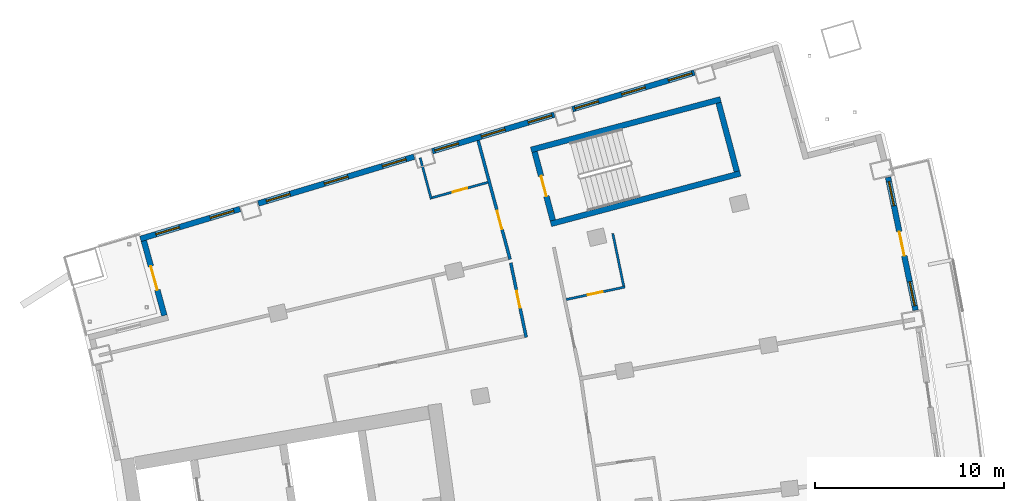
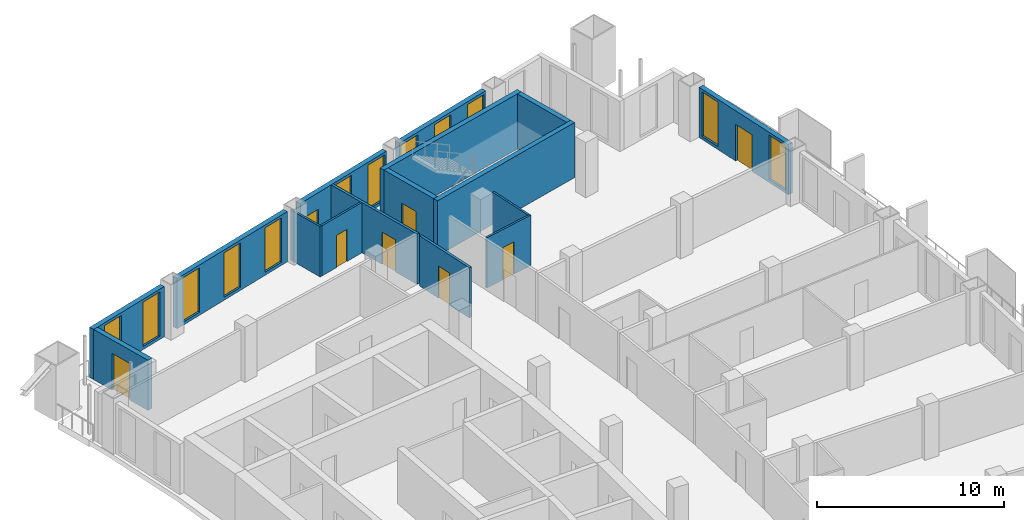
# One storey, part 15 of 19: 16 walls, 13 windows, 7 doors, 20 openings.
"""IFC4 building model written with IfcOpenShell, lengths in metres."""

from ifc_helpers import new_model, si_unit, direction, frame, frame_2d, origin, place, context, subcontext, project, spatial, rectangle, extrude, material, layer, layer_set, type_object, element, fill, save


model = new_model("IFC4")

# Units and contexts
model_context = context("Model", 3, precision=1e-05, world=origin(), true_north=direction((0.0, 1.0)))
body_context = subcontext(model_context, "Body", "Model", "MODEL_VIEW")
ifc_project = project(units=[si_unit("LENGTHUNIT", "METRE"), si_unit("AREAUNIT", "SQUARE_METRE"), si_unit("VOLUMEUNIT", "CUBIC_METRE"), si_unit("PLANEANGLEUNIT", "RADIAN"), si_unit("MASSUNIT", "GRAM", prefix="KILO")], contexts=[model_context])

# Site, building, storey
site_placement = place(None, origin())
site = spatial("IfcSite", under=ifc_project, at=site_placement, CompositionType="ELEMENT")
building_placement = place(site_placement, origin())
building = spatial("IfcBuilding", under=site, at=building_placement, Name="Alderwake Tower", CompositionType="ELEMENT")
storey_placement = place(building_placement, frame((0.0, 0.0, 174.800048828125)))
storey = spatial("IfcBuildingStorey", under=building, at=storey_placement, Name="L43", CompositionType="ELEMENT", Elevation=174.800048828125)

# Walls
ifc_material_1 = material(Name="Concrete C70/85", Category="concrete")
ifc_layer_1 = layer(ifc_material_1, 0.300048828125)
ifc_layer_set_1 = layer_set([ifc_layer_1], Name="Core wall stair enclosure 300 C70-85")
wall_type_1 = type_object("IfcWallType", Name="Core wall stair enclosure 300 C70-85", PredefinedType="SHEAR", material=ifc_layer_set_1)
for number, where, z_axis, x_axis, name in (
    (1, (36.71142578125, 94.182373046875, 0.0), (0.0, 0.0, 1.0), (0.966309214305, 0.257383958996, 0.0), "Core wall CW.082"),
    (2, (37.75390625, 90.268798828125, 0.0), (0.0, 0.0, 1.0), (0.966309214305, 0.257383958996, 0.0), "Core wall CW.084"),
):
    element("IfcWall", number, at=place(storey_placement, frame(where, z_axis=z_axis, x_axis=x_axis)), inside=storey, type_object=wall_type_1, Name=name, PredefinedType="SHEAR", context=body_context, shape_type="SweptSolid", body=[
        extrude(rectangle(XDim=10.360107421875, YDim=0.300048828125, at=frame_2d((5.18017578125, 0.0))), origin(), (0.0, 0.0, 1.0), 3.599853515625),
    ])

# Wall, opening, door
wall_1_placement = place(storey_placement, frame((37.8603515625, 90.452392578125, 0.0), z_axis=(0.0, 0.0, 1.0), x_axis=(-0.257411420208, 0.966301899381, 0.0)))
wall_1 = element("IfcWall", 3, at=wall_1_placement, inside=storey, type_object=wall_type_1, Name="Core wall CW.083", PredefinedType="SHEAR", context=body_context, shape_type="SweptSolid", body=[
    extrude(rectangle(XDim=3.750244140625, YDim=0.300048828125, at=frame_2d((1.875, 0.0))), origin(), (0.0, 0.0, 1.0), 3.599853515625),
])
opening_1_placement = place(wall_1_placement, frame((1.324951171875, 0.0, 0.0)))
opening_1 = element("IfcOpeningElement", 4, at=opening_1_placement, cuts=wall_1, Name="Opening C062", PredefinedType="OPENING", context=body_context, shape_type="SweptSolid", body=[
    extrude(rectangle(XDim=1.10009765625, YDim=2.10009765625, at=frame_2d((0.550048828125, 1.050048828125))), frame((0.0, 0.159912109375, 0.0), z_axis=(0.0, -1.0, 0.0), x_axis=(1.0, 0.0, 0.0)), (0.0, 0.0, 1.0), 0.320068359375),
])
ifc_material_2 = material(Name="Steel-framed fire door leaf", Category="steel")
door_type_1 = type_object("IfcDoorType", Name="Core stair door 1100 fire-rated", OperationType="SINGLE_SWING_LEFT", PredefinedType="DOOR", material=ifc_material_2)
door_1_placement = place(opening_1_placement, origin())
door_1 = element("IfcDoor", 5, at=door_1_placement, inside=storey, type_object=door_type_1, Name="Stair door", OperationType="SINGLE_SWING_RIGHT", OverallHeight=2.10009765625, OverallWidth=1.10009765625, PredefinedType="DOOR", context=body_context, shape_type="SweptSolid", body=[
    extrude(rectangle(XDim=1.10009765625, YDim=2.10009765625, at=frame_2d((0.550048828125, 1.050048828125))), frame((0.0, 0.02490234375, 0.0), z_axis=(0.0, -1.0, 0.0), x_axis=(1.0, 0.0, 0.0)), (0.0, 0.0, 1.0), 0.050048828125),
])
fill(opening_1, door_1)

# Wall
wall_2_placement = place(storey_placement, frame((47.581298828125, 93.041748046875, 0.0), z_axis=(0.0, 0.0, 1.0), x_axis=(-0.257366821694, 0.966313778796, 0.0)))
element("IfcWall", 6, at=wall_2_placement, inside=storey, type_object=wall_type_1, Name="Core wall CW.081", PredefinedType="SHEAR", context=body_context, shape_type="SweptSolid", body=[
    extrude(rectangle(XDim=3.749755859375, YDim=0.300048828125, at=frame_2d((1.875, 0.0))), origin(), (0.0, 0.0, 1.0), 3.599853515625),
])

# Wall, opening, door
ifc_material_3 = material(Name="Gypsum board on metal studs, rated")
ifc_layer_2 = layer(ifc_material_3, 0.159912109375)
ifc_layer_set_2 = layer_set([ifc_layer_2], Name="Corridor wall 160")
wall_type_2 = type_object("IfcWallType", Name="Corridor wall 160", PredefinedType="PARTITIONING", material=ifc_layer_set_2)
wall_3_placement = place(storey_placement, frame((35.600830078125, 88.392578125, 0.0), z_axis=(0.0, 0.0, 1.0), x_axis=(-0.259509260101, 0.965740619381, 0.0)))
wall_3 = element("IfcWall", 7, at=wall_3_placement, inside=storey, type_object=wall_type_2, Name="WL/L43/W19", PredefinedType="PARTITIONING", context=body_context, shape_type="SweptSolid", body=[
    extrude(rectangle(XDim=6.50732421875, YDim=0.159912109375, at=frame_2d((3.253662109375, 0.0))), origin(), (0.0, 0.0, 1.0), 3.280029296875),
])
opening_2_placement = place(wall_3_placement, frame((1.65771484375, 0.0, 0.0)))
opening_2 = element("IfcOpeningElement", 8, at=opening_2_placement, cuts=wall_3, Name="Opening R12-U11.1", PredefinedType="OPENING", context=body_context, shape_type="SweptSolid", body=[
    extrude(rectangle(XDim=1.0, YDim=2.10009765625, at=frame_2d((0.5, 1.050048828125))), frame((0.0, 0.08984375, 0.0), z_axis=(0.0, -1.0, 0.0), x_axis=(1.0, 0.0, 0.0)), (0.0, 0.0, 1.0), 0.179931640625),
])
ifc_material_4 = material(Name="Solid timber leaf in steel frame", Category="steel")
door_type_2 = type_object("IfcDoorType", Name="Flat entrance door 1000 fire-rated", OperationType="SINGLE_SWING_LEFT", PredefinedType="DOOR", material=ifc_material_4)
door_2_placement = place(opening_2_placement, origin())
door_2 = element("IfcDoor", 9, at=door_2_placement, inside=storey, type_object=door_type_2, Name="DR/L43/U11.1", OperationType="SINGLE_SWING_LEFT", OverallHeight=2.10009765625, OverallWidth=1.0, PredefinedType="DOOR", context=body_context, shape_type="SweptSolid", body=[
    extrude(rectangle(XDim=1.0, YDim=2.10009765625, at=frame_2d((0.5, 1.050048828125))), frame((0.0, 0.02490234375, 0.0), z_axis=(0.0, -1.0, 0.0), x_axis=(1.0, 0.0, 0.0)), (0.0, 0.0, 1.0), 0.050048828125),
])
fill(opening_2, door_2)

wall_4_placement = place(storey_placement, frame((36.451416015625, 84.272705078125, 0.0), z_axis=(0.0, 0.0, 1.0), x_axis=(-0.203258199701, 0.979125172924, 0.0)))
wall_4 = element("IfcWall", 10, at=wall_4_placement, inside=storey, type_object=wall_type_2, Name="WL/L43/W22", PredefinedType="PARTITIONING", context=body_context, shape_type="SweptSolid", body=[
    extrude(rectangle(XDim=4.020263671875, YDim=0.159912109375, at=frame_2d((2.01025390625, 0.0))), origin(), (0.0, 0.0, 1.0), 3.280029296875),
])
opening_3_placement = place(wall_4_placement, frame((1.599609375, 0.0, 0.0)))
opening_3 = element("IfcOpeningElement", 11, at=opening_3_placement, cuts=wall_4, Name="Opening R12-SBN2", PredefinedType="OPENING", context=body_context, shape_type="SweptSolid", body=[
    extrude(rectangle(XDim=0.89990234375, YDim=2.10009765625, at=frame_2d((0.449951171875, 1.050048828125))), frame((0.0, 0.08984375, 0.0), z_axis=(0.0, -1.0, 0.0), x_axis=(1.0, 0.0, 0.0)), (0.0, 0.0, 1.0), 0.179931640625),
])
ifc_material_5 = material(Name="Painted timber leaf", Category="wood")
door_type_3 = type_object("IfcDoorType", Name="Room door 900", OperationType="SINGLE_SWING_LEFT", PredefinedType="DOOR", material=ifc_material_5)
door_3_placement = place(opening_3_placement, origin())
door_3 = element("IfcDoor", 12, at=door_3_placement, inside=storey, type_object=door_type_3, Name="DR/L43/SBN2", OperationType="SINGLE_SWING_LEFT", OverallHeight=2.10009765625, OverallWidth=0.89990234375, PredefinedType="DOOR", context=body_context, shape_type="SweptSolid", body=[
    extrude(rectangle(XDim=0.89990234375, YDim=2.10009765625, at=frame_2d((0.449951171875, 1.050048828125))), frame((0.0, 0.02490234375, 0.0), z_axis=(0.0, -1.0, 0.0), x_axis=(1.0, 0.0, 0.0)), (0.0, 0.0, 1.0), 0.050048828125),
])
fill(opening_3, door_3)

# Wall, openings, door, windows
ifc_material_6 = material(Name="Precast concrete C50/60 spandrel panel", Category="concrete")
ifc_layer_3 = layer(ifc_material_6, 0.300048828125)
ifc_layer_set_3 = layer_set([ifc_layer_3], Name="External wall EW1 Precast concrete C50/60 spandrel")
wall_type_3 = type_object("IfcWallType", Name="External wall EW1 Precast concrete C50/60 spandrel", PredefinedType="SOLIDWALL", material=ifc_layer_set_3)
wall_5_placement = place(storey_placement, frame((57.027099609375, 85.707763671875, 0.0), z_axis=(0.0, 0.0, 1.0), x_axis=(-0.202713609839, 0.979238067268, 0.0)))
wall_5 = element("IfcWall", 13, at=wall_5_placement, inside=storey, type_object=wall_type_3, Name="External wall 19", PredefinedType="SOLIDWALL", context=body_context, shape_type="SweptSolid", body=[
    extrude(rectangle(XDim=7.175537109375, YDim=0.300048828125, at=frame_2d((3.587890625, 0.0))), origin(), (0.0, 0.0, 1.0), 3.280029296875),
])
opening_4_placement = place(wall_5_placement, frame((0.2353515625, 0.0, 0.199951171875)))
opening_4 = element("IfcOpeningElement", 14, at=opening_4_placement, cuts=wall_5, Name="Opening W1", PredefinedType="OPENING", context=body_context, shape_type="SweptSolid", body=[
    extrude(rectangle(XDim=1.300048828125, YDim=2.89990234375, at=frame_2d((0.64990234375, 1.449951171875))), frame((0.0, 0.159912109375, 0.0), z_axis=(0.0, -1.0, 0.0), x_axis=(1.0, 0.0, 0.0)), (0.0, 0.0, 1.0), 0.320068359375),
])
opening_5_placement = place(wall_5_placement, frame((2.937744140625, 0.0, 0.0)))
opening_5 = element("IfcOpeningElement", 15, at=opening_5_placement, cuts=wall_5, Name="Opening D08", PredefinedType="OPENING", context=body_context, shape_type="SweptSolid", body=[
    extrude(rectangle(XDim=1.300048828125, YDim=2.39990234375, at=frame_2d((0.64990234375, 1.199951171875))), frame((0.0, 0.159912109375, 0.0), z_axis=(0.0, -1.0, 0.0), x_axis=(1.0, 0.0, 0.0)), (0.0, 0.0, 1.0), 0.320068359375),
])
opening_6_placement = place(wall_5_placement, frame((5.64013671875, 0.0, 0.199951171875)))
opening_6 = element("IfcOpeningElement", 16, at=opening_6_placement, cuts=wall_5, Name="Opening W1", PredefinedType="OPENING", context=body_context, shape_type="SweptSolid", body=[
    extrude(rectangle(XDim=1.300048828125, YDim=2.89990234375, at=frame_2d((0.64990234375, 1.449951171875))), frame((0.0, 0.159912109375, 0.0), z_axis=(0.0, -1.0, 0.0), x_axis=(1.0, 0.0, 0.0)), (0.0, 0.0, 1.0), 0.320068359375),
])
ifc_material_7 = material(Name="Bronze tinted glass in aluminium frame", Category="aluminium")
door_type_4 = type_object("IfcDoorType", Name="Balcony door BD sliding", OperationType="SLIDING_TO_LEFT", PredefinedType="DOOR", material=ifc_material_7)
door_4_placement = place(opening_5_placement, origin())
door_4 = element("IfcDoor", 17, at=door_4_placement, inside=storey, type_object=door_type_4, Name="Door D08", OperationType="SLIDING_TO_LEFT", OverallHeight=2.39990234375, OverallWidth=1.300048828125, PredefinedType="DOOR", context=body_context, shape_type="SweptSolid", body=[
    extrude(rectangle(XDim=1.300048828125, YDim=2.39990234375, at=frame_2d((0.64990234375, 1.199951171875))), frame((0.0, 0.02490234375, 0.0), z_axis=(0.0, -1.0, 0.0), x_axis=(1.0, 0.0, 0.0)), (0.0, 0.0, 1.0), 0.050048828125),
])
fill(opening_5, door_4)
ifc_material_8 = material(Name="Bronze tinted glass in aluminium frame", Category="aluminium")
window_type_1 = type_object("IfcWindowType", Name="Window W1 tall fixed and vent", PartitioningType="DOUBLE_PANEL_VERTICAL", PredefinedType="WINDOW", material=ifc_material_8)
window_1_placement = place(opening_4_placement, origin())
window_1 = element("IfcWindow", 18, at=window_1_placement, inside=storey, type_object=window_type_1, Name="Window W1 tall fixed and vent", OverallHeight=2.89990234375, OverallWidth=1.300048828125, PartitioningType="DOUBLE_PANEL_VERTICAL", PredefinedType="WINDOW", context=body_context, shape_type="SweptSolid", body=[
    extrude(rectangle(XDim=1.300048828125, YDim=2.89990234375, at=frame_2d((0.64990234375, 1.449951171875))), frame((0.0, 0.030029296875, 0.0), z_axis=(0.0, -1.0, 0.0), x_axis=(1.0, 0.0, 0.0)), (0.0, 0.0, 1.0), 0.06005859375),
])
fill(opening_4, window_1)
window_2_placement = place(opening_6_placement, origin())
window_2 = element("IfcWindow", 19, at=window_2_placement, inside=storey, type_object=window_type_1, Name="Window W1 tall fixed and vent", OverallHeight=2.89990234375, OverallWidth=1.300048828125, PartitioningType="DOUBLE_PANEL_VERTICAL", PredefinedType="WINDOW", context=body_context, shape_type="SweptSolid", body=[
    extrude(rectangle(XDim=1.300048828125, YDim=2.89990234375, at=frame_2d((0.64990234375, 1.449951171875))), frame((0.0, 0.030029296875, 0.0), z_axis=(0.0, -1.0, 0.0), x_axis=(1.0, 0.0, 0.0)), (0.0, 0.0, 1.0), 0.06005859375),
])
fill(opening_6, window_2)

# Wall, openings, windows
ifc_material_9 = material(Name="Bronze metal cladding on lightweight framing")
ifc_layer_4 = layer(ifc_material_9, 0.300048828125)
ifc_layer_set_4 = layer_set([ifc_layer_4], Name="External wall EW2 bronze metal cladding")
wall_type_4 = type_object("IfcWallType", Name="External wall EW2 bronze metal cladding", PredefinedType="SOLIDWALL", material=ifc_layer_set_4)
wall_6_placement = place(storey_placement, frame((45.341552734375, 98.265625, 0.0), z_axis=(0.0, 0.0, 1.0), x_axis=(-0.957769353605, -0.287537589359, 0.0)))
wall_6 = element("IfcWall", 20, at=wall_6_placement, inside=storey, type_object=wall_type_4, Name="External wall 24", PredefinedType="SOLIDWALL", context=body_context, shape_type="SweptSolid", body=[
    extrude(rectangle(XDim=6.729736328125, YDim=0.300048828125, at=frame_2d((3.36474609375, 0.0))), origin(), (0.0, 0.0, 1.0), 3.280029296875),
])
opening_7_placement = place(wall_6_placement, frame((0.13720703125, 0.0, 0.199951171875)))
opening_7 = element("IfcOpeningElement", 21, at=opening_7_placement, cuts=wall_6, Name="Opening W1", PredefinedType="OPENING", context=body_context, shape_type="SweptSolid", body=[
    extrude(rectangle(XDim=1.300048828125, YDim=2.89990234375, at=frame_2d((0.64990234375, 1.449951171875))), frame((0.0, 0.159912109375, 0.0), z_axis=(0.0, -1.0, 0.0), x_axis=(1.0, 0.0, 0.0)), (0.0, 0.0, 1.0), 0.320068359375),
])
opening_8_placement = place(wall_6_placement, frame((2.71484375, 0.0, 0.199951171875)))
opening_8 = element("IfcOpeningElement", 22, at=opening_8_placement, cuts=wall_6, Name="Opening W1", PredefinedType="OPENING", context=body_context, shape_type="SweptSolid", body=[
    extrude(rectangle(XDim=1.300048828125, YDim=2.89990234375, at=frame_2d((0.64990234375, 1.449951171875))), frame((0.0, 0.159912109375, 0.0), z_axis=(0.0, -1.0, 0.0), x_axis=(1.0, 0.0, 0.0)), (0.0, 0.0, 1.0), 0.320068359375),
])
opening_9_placement = place(wall_6_placement, frame((5.292724609375, 0.0, 0.199951171875)))
opening_9 = element("IfcOpeningElement", 23, at=opening_9_placement, cuts=wall_6, Name="Opening W1", PredefinedType="OPENING", context=body_context, shape_type="SweptSolid", body=[
    extrude(rectangle(XDim=1.300048828125, YDim=2.89990234375, at=frame_2d((0.64990234375, 1.449951171875))), frame((0.0, 0.159912109375, 0.0), z_axis=(0.0, -1.0, 0.0), x_axis=(1.0, 0.0, 0.0)), (0.0, 0.0, 1.0), 0.320068359375),
])
window_3_placement = place(opening_7_placement, origin())
window_3 = element("IfcWindow", 24, at=window_3_placement, inside=storey, type_object=window_type_1, Name="Window W1 tall fixed and vent", OverallHeight=2.89990234375, OverallWidth=1.300048828125, PartitioningType="DOUBLE_PANEL_VERTICAL", PredefinedType="WINDOW", context=body_context, shape_type="SweptSolid", body=[
    extrude(rectangle(XDim=1.300048828125, YDim=2.89990234375, at=frame_2d((0.64990234375, 1.449951171875))), frame((0.0, 0.030029296875, 0.0), z_axis=(0.0, -1.0, 0.0), x_axis=(1.0, 0.0, 0.0)), (0.0, 0.0, 1.0), 0.06005859375),
])
fill(opening_7, window_3)
window_4_placement = place(opening_8_placement, origin())
window_4 = element("IfcWindow", 25, at=window_4_placement, inside=storey, type_object=window_type_1, Name="Window W1 tall fixed and vent", OverallHeight=2.89990234375, OverallWidth=1.300048828125, PartitioningType="DOUBLE_PANEL_VERTICAL", PredefinedType="WINDOW", context=body_context, shape_type="SweptSolid", body=[
    extrude(rectangle(XDim=1.300048828125, YDim=2.89990234375, at=frame_2d((0.64990234375, 1.449951171875))), frame((0.0, 0.030029296875, 0.0), z_axis=(0.0, -1.0, 0.0), x_axis=(1.0, 0.0, 0.0)), (0.0, 0.0, 1.0), 0.06005859375),
])
fill(opening_8, window_4)
window_5_placement = place(opening_9_placement, origin())
window_5 = element("IfcWindow", 26, at=window_5_placement, inside=storey, type_object=window_type_1, Name="Window W1 tall fixed and vent", OverallHeight=2.89990234375, OverallWidth=1.300048828125, PartitioningType="DOUBLE_PANEL_VERTICAL", PredefinedType="WINDOW", context=body_context, shape_type="SweptSolid", body=[
    extrude(rectangle(XDim=1.300048828125, YDim=2.89990234375, at=frame_2d((0.64990234375, 1.449951171875))), frame((0.0, 0.030029296875, 0.0), z_axis=(0.0, -1.0, 0.0), x_axis=(1.0, 0.0, 0.0)), (0.0, 0.0, 1.0), 0.06005859375),
])
fill(opening_9, window_5)

wall_7_placement = place(storey_placement, frame((37.9345703125, 96.0419921875, 0.0), z_axis=(0.0, 0.0, 1.0), x_axis=(-0.957766354081, -0.287547580396, 0.0)))
wall_7 = element("IfcWall", 27, at=wall_7_placement, inside=storey, type_object=wall_type_4, Name="External wall 25", PredefinedType="SOLIDWALL", context=body_context, shape_type="SweptSolid", body=[
    extrude(rectangle(XDim=6.7294921875, YDim=0.300048828125, at=frame_2d((3.36474609375, 0.0))), origin(), (0.0, 0.0, 1.0), 3.280029296875),
])
opening_10_placement = place(wall_7_placement, frame((0.136962890625, 0.0, 0.199951171875)))
opening_10 = element("IfcOpeningElement", 28, at=opening_10_placement, cuts=wall_7, Name="Opening W1", PredefinedType="OPENING", context=body_context, shape_type="SweptSolid", body=[
    extrude(rectangle(XDim=1.300048828125, YDim=2.89990234375, at=frame_2d((0.64990234375, 1.449951171875))), frame((0.0, 0.159912109375, 0.0), z_axis=(0.0, -1.0, 0.0), x_axis=(1.0, 0.0, 0.0)), (0.0, 0.0, 1.0), 0.320068359375),
])
opening_11_placement = place(wall_7_placement, frame((2.71484375, 0.0, 0.199951171875)))
opening_11 = element("IfcOpeningElement", 29, at=opening_11_placement, cuts=wall_7, Name="Opening W1", PredefinedType="OPENING", context=body_context, shape_type="SweptSolid", body=[
    extrude(rectangle(XDim=1.300048828125, YDim=2.89990234375, at=frame_2d((0.64990234375, 1.449951171875))), frame((0.0, 0.159912109375, 0.0), z_axis=(0.0, -1.0, 0.0), x_axis=(1.0, 0.0, 0.0)), (0.0, 0.0, 1.0), 0.320068359375),
])
opening_12_placement = place(wall_7_placement, frame((5.29248046875, 0.0, 1.0)))
opening_12 = element("IfcOpeningElement", 30, at=opening_12_placement, cuts=wall_7, Name="Opening W2", PredefinedType="OPENING", context=body_context, shape_type="SweptSolid", body=[
    extrude(rectangle(XDim=1.300048828125, YDim=1.199951171875, at=frame_2d((0.64990234375, 0.60009765625))), frame((0.0, 0.159912109375, 0.0), z_axis=(0.0, -1.0, 0.0), x_axis=(1.0, 0.0, 0.0)), (0.0, 0.0, 1.0), 0.320068359375),
])
window_6_placement = place(opening_10_placement, origin())
window_6 = element("IfcWindow", 31, at=window_6_placement, inside=storey, type_object=window_type_1, Name="Window W1 tall fixed and vent", OverallHeight=2.89990234375, OverallWidth=1.300048828125, PartitioningType="DOUBLE_PANEL_VERTICAL", PredefinedType="WINDOW", context=body_context, shape_type="SweptSolid", body=[
    extrude(rectangle(XDim=1.300048828125, YDim=2.89990234375, at=frame_2d((0.64990234375, 1.449951171875))), frame((0.0, 0.030029296875, 0.0), z_axis=(0.0, -1.0, 0.0), x_axis=(1.0, 0.0, 0.0)), (0.0, 0.0, 1.0), 0.06005859375),
])
fill(opening_10, window_6)
window_7_placement = place(opening_11_placement, origin())
window_7 = element("IfcWindow", 32, at=window_7_placement, inside=storey, type_object=window_type_1, Name="Window W1 tall fixed and vent", OverallHeight=2.89990234375, OverallWidth=1.300048828125, PartitioningType="DOUBLE_PANEL_VERTICAL", PredefinedType="WINDOW", context=body_context, shape_type="SweptSolid", body=[
    extrude(rectangle(XDim=1.300048828125, YDim=2.89990234375, at=frame_2d((0.64990234375, 1.449951171875))), frame((0.0, 0.030029296875, 0.0), z_axis=(0.0, -1.0, 0.0), x_axis=(1.0, 0.0, 0.0)), (0.0, 0.0, 1.0), 0.06005859375),
])
fill(opening_11, window_7)
ifc_material_10 = material(Name="Bronze tinted glass in aluminium frame", Category="aluminium")
window_type_2 = type_object("IfcWindowType", Name="Window W2 kitchen and bath", PartitioningType="SINGLE_PANEL", PredefinedType="WINDOW", material=ifc_material_10)
window_8_placement = place(opening_12_placement, origin())
window_8 = element("IfcWindow", 33, at=window_8_placement, inside=storey, type_object=window_type_2, Name="Window W2 kitchen and bath", OverallHeight=1.199951171875, OverallWidth=1.300048828125, PartitioningType="SINGLE_PANEL", PredefinedType="WINDOW", context=body_context, shape_type="SweptSolid", body=[
    extrude(rectangle(XDim=1.300048828125, YDim=1.199951171875, at=frame_2d((0.64990234375, 0.60009765625))), frame((0.0, 0.030029296875, 0.0), z_axis=(0.0, -1.0, 0.0), x_axis=(1.0, 0.0, 0.0)), (0.0, 0.0, 1.0), 0.06005859375),
])
fill(opening_12, window_8)

wall_8_placement = place(storey_placement, frame((30.527587890625, 93.818115234375, 0.0), z_axis=(0.0, 0.0, 1.0), x_axis=(-0.957768419769, -0.287540699891, 0.0)))
wall_8 = element("IfcWall", 34, at=wall_8_placement, inside=storey, type_object=wall_type_4, Name="External wall 26", PredefinedType="SOLIDWALL", context=body_context, shape_type="SweptSolid", body=[
    extrude(rectangle(XDim=8.595947265625, YDim=0.300048828125, at=frame_2d((4.2978515625, 0.0))), origin(), (0.0, 0.0, 1.0), 3.280029296875),
])
opening_13_placement = place(wall_8_placement, frame((0.447998046875, 0.0, 0.199951171875)))
opening_13 = element("IfcOpeningElement", 35, at=opening_13_placement, cuts=wall_8, Name="Opening W1", PredefinedType="OPENING", context=body_context, shape_type="SweptSolid", body=[
    extrude(rectangle(XDim=1.300048828125, YDim=2.89990234375, at=frame_2d((0.64990234375, 1.449951171875))), frame((0.0, 0.159912109375, 0.0), z_axis=(0.0, -1.0, 0.0), x_axis=(1.0, 0.0, 0.0)), (0.0, 0.0, 1.0), 0.320068359375),
])
opening_14_placement = place(wall_8_placement, frame((3.64794921875, 0.0, 0.199951171875)))
opening_14 = element("IfcOpeningElement", 36, at=opening_14_placement, cuts=wall_8, Name="Opening W1", PredefinedType="OPENING", context=body_context, shape_type="SweptSolid", body=[
    extrude(rectangle(XDim=1.300048828125, YDim=2.89990234375, at=frame_2d((0.64990234375, 1.449951171875))), frame((0.0, 0.159912109375, 0.0), z_axis=(0.0, -1.0, 0.0), x_axis=(1.0, 0.0, 0.0)), (0.0, 0.0, 1.0), 0.320068359375),
])
opening_15_placement = place(wall_8_placement, frame((6.84814453125, 0.0, 0.199951171875)))
opening_15 = element("IfcOpeningElement", 37, at=opening_15_placement, cuts=wall_8, Name="Opening W1", PredefinedType="OPENING", context=body_context, shape_type="SweptSolid", body=[
    extrude(rectangle(XDim=1.300048828125, YDim=2.89990234375, at=frame_2d((0.64990234375, 1.449951171875))), frame((0.0, 0.159912109375, 0.0), z_axis=(0.0, -1.0, 0.0), x_axis=(1.0, 0.0, 0.0)), (0.0, 0.0, 1.0), 0.320068359375),
])
window_9_placement = place(opening_13_placement, origin())
window_9 = element("IfcWindow", 38, at=window_9_placement, inside=storey, type_object=window_type_1, Name="Window W1 tall fixed and vent", OverallHeight=2.89990234375, OverallWidth=1.300048828125, PartitioningType="DOUBLE_PANEL_VERTICAL", PredefinedType="WINDOW", context=body_context, shape_type="SweptSolid", body=[
    extrude(rectangle(XDim=1.300048828125, YDim=2.89990234375, at=frame_2d((0.64990234375, 1.449951171875))), frame((0.0, 0.030029296875, 0.0), z_axis=(0.0, -1.0, 0.0), x_axis=(1.0, 0.0, 0.0)), (0.0, 0.0, 1.0), 0.06005859375),
])
fill(opening_13, window_9)
window_10_placement = place(opening_14_placement, origin())
window_10 = element("IfcWindow", 39, at=window_10_placement, inside=storey, type_object=window_type_1, Name="Window W1 tall fixed and vent", OverallHeight=2.89990234375, OverallWidth=1.300048828125, PartitioningType="DOUBLE_PANEL_VERTICAL", PredefinedType="WINDOW", context=body_context, shape_type="SweptSolid", body=[
    extrude(rectangle(XDim=1.300048828125, YDim=2.89990234375, at=frame_2d((0.64990234375, 1.449951171875))), frame((0.0, 0.030029296875, 0.0), z_axis=(0.0, -1.0, 0.0), x_axis=(1.0, 0.0, 0.0)), (0.0, 0.0, 1.0), 0.06005859375),
])
fill(opening_14, window_10)
window_11_placement = place(opening_15_placement, origin())
window_11 = element("IfcWindow", 40, at=window_11_placement, inside=storey, type_object=window_type_1, Name="Window W1 tall fixed and vent", OverallHeight=2.89990234375, OverallWidth=1.300048828125, PartitioningType="DOUBLE_PANEL_VERTICAL", PredefinedType="WINDOW", context=body_context, shape_type="SweptSolid", body=[
    extrude(rectangle(XDim=1.300048828125, YDim=2.89990234375, at=frame_2d((0.64990234375, 1.449951171875))), frame((0.0, 0.030029296875, 0.0), z_axis=(0.0, -1.0, 0.0), x_axis=(1.0, 0.0, 0.0)), (0.0, 0.0, 1.0), 0.06005859375),
])
fill(opening_15, window_11)

wall_9_placement = place(storey_placement, frame((21.332763671875, 91.0576171875, 0.0), z_axis=(0.0, 0.0, 1.0), x_axis=(-0.957767615614, -0.287543378434, 0.0)))
wall_9 = element("IfcWall", 41, at=wall_9_placement, inside=storey, type_object=wall_type_4, Name="External wall 27", PredefinedType="SOLIDWALL", context=body_context, shape_type="SweptSolid", body=[
    extrude(rectangle(XDim=5.499267578125, YDim=0.300048828125, at=frame_2d((2.74951171875, 0.0))), origin(), (0.0, 0.0, 1.0), 3.280029296875),
])
opening_16_placement = place(wall_9_placement, frame((0.34814453125, 0.0, 0.199951171875)))
opening_16 = element("IfcOpeningElement", 42, at=opening_16_placement, cuts=wall_9, Name="Opening W1", PredefinedType="OPENING", context=body_context, shape_type="SweptSolid", body=[
    extrude(rectangle(XDim=1.300048828125, YDim=2.89990234375, at=frame_2d((0.64990234375, 1.449951171875))), frame((0.0, 0.159912109375, 0.0), z_axis=(0.0, -1.0, 0.0), x_axis=(1.0, 0.0, 0.0)), (0.0, 0.0, 1.0), 0.320068359375),
])
opening_17_placement = place(wall_9_placement, frame((3.34912109375, 0.0, 0.199951171875)))
opening_17 = element("IfcOpeningElement", 43, at=opening_17_placement, cuts=wall_9, Name="Opening W1", PredefinedType="OPENING", context=body_context, shape_type="SweptSolid", body=[
    extrude(rectangle(XDim=1.300048828125, YDim=2.89990234375, at=frame_2d((0.64990234375, 1.449951171875))), frame((0.0, 0.159912109375, 0.0), z_axis=(0.0, -1.0, 0.0), x_axis=(1.0, 0.0, 0.0)), (0.0, 0.0, 1.0), 0.320068359375),
])
window_12_placement = place(opening_16_placement, origin())
window_12 = element("IfcWindow", 44, at=window_12_placement, inside=storey, type_object=window_type_1, Name="Window W1 tall fixed and vent", OverallHeight=2.89990234375, OverallWidth=1.300048828125, PartitioningType="DOUBLE_PANEL_VERTICAL", PredefinedType="WINDOW", context=body_context, shape_type="SweptSolid", body=[
    extrude(rectangle(XDim=1.300048828125, YDim=2.89990234375, at=frame_2d((0.64990234375, 1.449951171875))), frame((0.0, 0.030029296875, 0.0), z_axis=(0.0, -1.0, 0.0), x_axis=(1.0, 0.0, 0.0)), (0.0, 0.0, 1.0), 0.06005859375),
])
fill(opening_16, window_12)
window_13_placement = place(opening_17_placement, origin())
window_13 = element("IfcWindow", 45, at=window_13_placement, inside=storey, type_object=window_type_1, Name="Window W1 tall fixed and vent", OverallHeight=2.89990234375, OverallWidth=1.300048828125, PartitioningType="DOUBLE_PANEL_VERTICAL", PredefinedType="WINDOW", context=body_context, shape_type="SweptSolid", body=[
    extrude(rectangle(XDim=1.300048828125, YDim=2.89990234375, at=frame_2d((0.64990234375, 1.449951171875))), frame((0.0, 0.030029296875, 0.0), z_axis=(0.0, -1.0, 0.0), x_axis=(1.0, 0.0, 0.0)), (0.0, 0.0, 1.0), 0.06005859375),
])
fill(opening_17, window_13)

# Wall, opening, door
wall_10_placement = place(storey_placement, frame((16.248779296875, 89.374755859375, 0.0), z_axis=(0.0, 0.0, 1.0), x_axis=(0.264607053468, -0.964356317579, 0.0)))
wall_10 = element("IfcWall", 46, at=wall_10_placement, inside=storey, type_object=wall_type_4, Name="External wall 28", PredefinedType="SOLIDWALL", context=body_context, shape_type="SweptSolid", body=[
    extrude(rectangle(XDim=4.090087890625, YDim=0.300048828125, at=frame_2d((2.044921875, 0.0))), origin(), (0.0, 0.0, 1.0), 3.280029296875),
])
opening_18_placement = place(wall_10_placement, frame((1.39501953125, 0.0, 0.0)))
opening_18 = element("IfcOpeningElement", 47, at=opening_18_placement, cuts=wall_10, Name="Opening D09", PredefinedType="OPENING", context=body_context, shape_type="SweptSolid", body=[
    extrude(rectangle(XDim=1.300048828125, YDim=2.39990234375, at=frame_2d((0.64990234375, 1.199951171875))), frame((0.0, 0.159912109375, 0.0), z_axis=(0.0, -1.0, 0.0), x_axis=(1.0, 0.0, 0.0)), (0.0, 0.0, 1.0), 0.320068359375),
])
door_5_placement = place(opening_18_placement, origin())
door_5 = element("IfcDoor", 48, at=door_5_placement, inside=storey, type_object=door_type_4, Name="Door D09", OperationType="SLIDING_TO_LEFT", OverallHeight=2.39990234375, OverallWidth=1.300048828125, PredefinedType="DOOR", context=body_context, shape_type="SweptSolid", body=[
    extrude(rectangle(XDim=1.300048828125, YDim=2.39990234375, at=frame_2d((0.64990234375, 1.199951171875))), frame((0.0, 0.02490234375, 0.0), z_axis=(0.0, -1.0, 0.0), x_axis=(1.0, 0.0, 0.0)), (0.0, 0.0, 1.0), 0.050048828125),
])
fill(opening_18, door_5)

# Wall
ifc_material_11 = material(Name="Moisture resistant gypsum board on metal studs")
ifc_layer_5 = layer(ifc_material_11, 0.1201171875)
ifc_layer_set_5 = layer_set([ifc_layer_5], Name="Wet room partition 120")
wall_type_5 = type_object("IfcWallType", Name="Wet room partition 120", PredefinedType="PARTITIONING", material=ifc_layer_set_5)
wall_11_placement = place(storey_placement, frame((30.84912109375, 93.759033203125, 0.0), z_axis=(0.0, 0.0, 1.0), x_axis=(0.259155613864, -0.965835580108, 0.0)))
element("IfcWall", 49, at=wall_11_placement, inside=storey, type_object=wall_type_5, Name="WL/L43/W36", PredefinedType="PARTITIONING", context=body_context, shape_type="SweptSolid", body=[
    extrude(rectangle(XDim=2.259033203125, YDim=0.1201171875, at=frame_2d((1.12939453125, 0.0))), origin(), (0.0, 0.0, 1.0), 3.280029296875),
])

# Wall, opening, door
wall_12_placement = place(storey_placement, frame((31.476806640625, 91.65087890625, 0.0), z_axis=(0.0, 0.0, 1.0), x_axis=(0.964118102321, 0.265473698843, 0.0)))
wall_12 = element("IfcWall", 50, at=wall_12_placement, inside=storey, type_object=wall_type_5, Name="WL/L43/W38", PredefinedType="PARTITIONING", context=body_context, shape_type="SweptSolid", body=[
    extrude(rectangle(XDim=3.058837890625, YDim=0.1201171875, at=frame_2d((1.529296875, 0.0))), origin(), (0.0, 0.0, 1.0), 3.280029296875),
])
opening_19_placement = place(wall_12_placement, frame((1.12939453125, 0.0, 0.0)))
opening_19 = element("IfcOpeningElement", 51, at=opening_19_placement, cuts=wall_12, Name="Opening R12-U11.2", PredefinedType="OPENING", context=body_context, shape_type="SweptSolid", body=[
    extrude(rectangle(XDim=0.800048828125, YDim=2.10009765625, at=frame_2d((0.39990234375, 1.050048828125))), frame((0.0, 0.070068359375, 0.0), z_axis=(0.0, -1.0, 0.0), x_axis=(1.0, 0.0, 0.0)), (0.0, 0.0, 1.0), 0.14013671875),
])
ifc_material_12 = material(Name="Painted timber leaf", Category="wood")
door_type_5 = type_object("IfcDoorType", Name="Bathroom door 800", OperationType="SINGLE_SWING_LEFT", PredefinedType="DOOR", material=ifc_material_12)
door_6_placement = place(opening_19_placement, origin())
door_6 = element("IfcDoor", 52, at=door_6_placement, inside=storey, type_object=door_type_5, Name="DR/L43/U11.2", OperationType="SINGLE_SWING_LEFT", OverallHeight=2.10009765625, OverallWidth=0.800048828125, PredefinedType="DOOR", context=body_context, shape_type="SweptSolid", body=[
    extrude(rectangle(XDim=0.800048828125, YDim=2.10009765625, at=frame_2d((0.39990234375, 1.050048828125))), frame((0.0, 0.02490234375, 0.0), z_axis=(0.0, -1.0, 0.0), x_axis=(1.0, 0.0, 0.0)), (0.0, 0.0, 1.0), 0.050048828125),
])
fill(opening_19, door_6)

wall_13_placement = place(storey_placement, frame((38.568115234375, 86.272705078125, 0.0), z_axis=(0.0, 0.0, 1.0), x_axis=(0.978050304183, 0.208368909598, 0.0)))
wall_13 = element("IfcWall", 53, at=wall_13_placement, inside=storey, type_object=wall_type_5, Name="WL/L43/W40", PredefinedType="PARTITIONING", context=body_context, shape_type="SweptSolid", body=[
    extrude(rectangle(XDim=3.176513671875, YDim=0.1201171875, at=frame_2d((1.58837890625, 0.0))), origin(), (0.0, 0.0, 1.0), 3.280029296875),
])
opening_20_placement = place(wall_13_placement, frame((1.15869140625, 0.0, 0.0)))
opening_20 = element("IfcOpeningElement", 54, at=opening_20_placement, cuts=wall_13, Name="Opening R12-U09.2", PredefinedType="OPENING", context=body_context, shape_type="SweptSolid", body=[
    extrude(rectangle(XDim=0.800048828125, YDim=2.10009765625, at=frame_2d((0.39990234375, 1.050048828125))), frame((0.0, 0.070068359375, 0.0), z_axis=(0.0, -1.0, 0.0), x_axis=(1.0, 0.0, 0.0)), (0.0, 0.0, 1.0), 0.14013671875),
])
door_7_placement = place(opening_20_placement, origin())
door_7 = element("IfcDoor", 55, at=door_7_placement, inside=storey, type_object=door_type_5, Name="DR/L43/U09.2", OperationType="SINGLE_SWING_LEFT", OverallHeight=2.10009765625, OverallWidth=0.800048828125, PredefinedType="DOOR", context=body_context, shape_type="SweptSolid", body=[
    extrude(rectangle(XDim=0.800048828125, YDim=2.10009765625, at=frame_2d((0.39990234375, 1.050048828125))), frame((0.0, 0.02490234375, 0.0), z_axis=(0.0, -1.0, 0.0), x_axis=(1.0, 0.0, 0.0)), (0.0, 0.0, 1.0), 0.050048828125),
])
fill(opening_20, door_7)

# Wall
wall_14_placement = place(storey_placement, frame((41.603759765625, 86.980712890625, 0.0), z_axis=(0.0, 0.0, 1.0), x_axis=(-0.202622652807, 0.97925689202, 0.0)))
element("IfcWall", 56, at=wall_14_placement, inside=storey, type_object=wall_type_5, Name="WL/L43/W44", PredefinedType="PARTITIONING", context=body_context, shape_type="SweptSolid", body=[
    extrude(rectangle(XDim=2.841064453125, YDim=0.1201171875, at=frame_2d((1.42041015625, 0.0))), origin(), (0.0, 0.0, 1.0), 3.280029296875),
])

save(model, "model.ifc")
